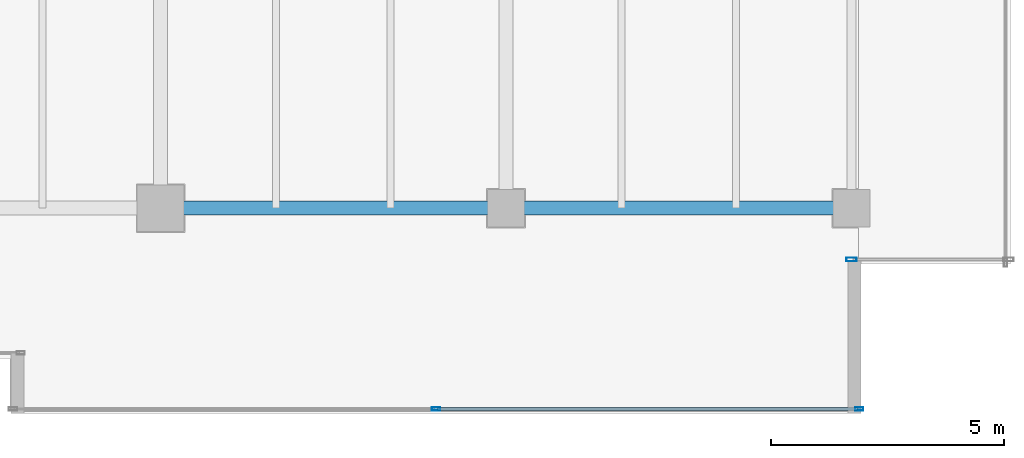
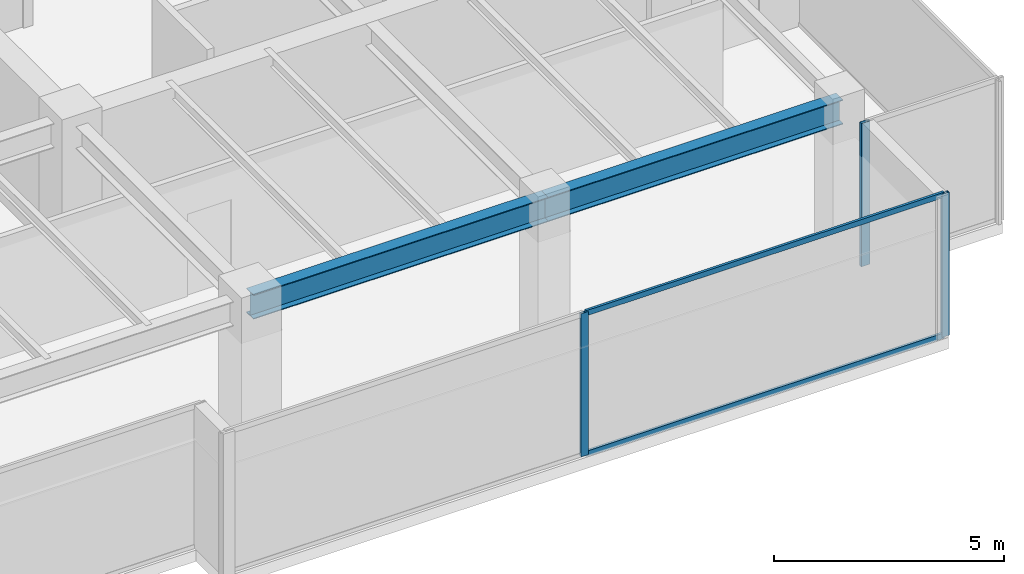
# One storey, part 13 of 35: 5 members, 2 beams, 2 elements without a shape of their own.
"""IFC4 building model written with IfcOpenShell, lengths in metres."""

from ifc_helpers import new_model, si_unit, direction, frame, origin, origin_2d, place, context, subcontext, project, spatial, hollow_rectangle, i_section, extrude, source, transform, mapped, material, layer, layer_set, material_profile, profile_set, type_object, type_shapes, element, aggregate, save


model = new_model("IFC4")

# Units and contexts
model_context = context("Model", 3, precision=1e-05, world=origin(), true_north=direction((0.0, 1.0)))
body_context = subcontext(model_context, "Body", "Model", "MODEL_VIEW")
ifc_project = project(units=[si_unit("LENGTHUNIT", "METRE"), si_unit("AREAUNIT", "SQUARE_METRE"), si_unit("VOLUMEUNIT", "CUBIC_METRE"), si_unit("PLANEANGLEUNIT", "RADIAN"), si_unit("MASSUNIT", "GRAM", prefix="KILO")], contexts=[model_context])

# Site, building, storey
site_placement = place(None, origin())
site = spatial("IfcSite", under=ifc_project, at=site_placement, CompositionType="ELEMENT")
building_placement = place(site_placement, origin())
building = spatial("IfcBuilding", under=site, at=building_placement, Name="Haelvirn Gate Laboratories", CompositionType="ELEMENT")
storey_placement = place(building_placement, frame((0.0, 0.0, 234.199951171875)))
storey = spatial("IfcBuildingStorey", under=building, at=storey_placement, Name="L56", CompositionType="ELEMENT", Elevation=234.199951171875)

# Beams
ifc_material_1 = material(Name="Steel SM355", Category="steel")
ifc_material_profile_1 = material_profile(ifc_material_1, i_section(OverallWidth=0.300048828125, OverallDepth=0.64990234375, WebThickness=0.012939453125, FlangeThickness=0.02197265625, at=origin_2d()), Name="H-650x300x13x22")
ifc_profile_set_1 = profile_set([ifc_material_profile_1], Name="Steel SM355")
beam_type = type_object("IfcBeamType", Name="BM-G-650", PredefinedType="BEAM", material=ifc_profile_set_1)
shared_shape_1 = source(origin(), body_context, "Body", "SweptSolid", [
    extrude(i_section(OverallWidth=0.300048828125, OverallDepth=0.64990234375, WebThickness=0.012939453125, FlangeThickness=0.02197265625, at=origin_2d()), origin(), (0.0, 0.0, 1.0), 7.39990234375),
])
type_shapes(beam_type, [shared_shape_1])
for number, where, z_axis, x_axis, name in (
    (1, (52.60009765625, 7.0, 3.47509765625), (1.0, 0.0, 0.0), (0.0, 1.0, 0.0), "L56 Primary Girder Y7.0 (52.6-60.0)"),
    (2, (60.0, 7.0, 3.47509765625), (1.0, 0.0, 0.0), (0.0, 1.0, 0.0), "L56 Primary Girder Y7.0 (60.0-67.4)"),
):
    element("IfcBeam", number, at=place(storey_placement, frame(where, z_axis=z_axis, x_axis=x_axis)), inside=storey, type_object=beam_type, Name=name, PredefinedType="BEAM", context=body_context, shape_type="MappedRepresentation", body=[
        mapped(shared_shape_1, transform((0.0, 0.0, 0.0), scale=1.0)),
    ])

# Curtain wall, members
ifc_material_2 = material(Name="Anodised bronze unitised aluminium & triple low-E glass", Category="aluminium")
ifc_layer_1 = layer(ifc_material_2, 0.176025390625, Name="CW-SYS-4")
ifc_layer_set_1 = layer_set([ifc_layer_1], Name="Anodised bronze unitised aluminium & triple low-E glass")
curtain_wall_type_1 = type_object("IfcCurtainWallType", Name="CW-SYS-4", PredefinedType="NOTDEFINED", material=ifc_layer_set_1)
curtain_wall_1_placement = place(storey_placement, origin())
curtain_wall_1 = element("IfcCurtainWall", 3, at=curtain_wall_1_placement, inside=storey, type_object=curtain_wall_type_1, Name="L56 Unitised Curtain Wall CW-L56-P0-E04-1", PredefinedType="NOTDEFINED")
ifc_material_3 = material(Name="Extruded aluminium 6063-T6 (anodised bronze)", Category="aluminium")
ifc_material_profile_2 = material_profile(ifc_material_3, hollow_rectangle(XDim=0.06494140625, YDim=0.139892578125, WallThickness=0.00390625, at=origin_2d()), Name="CWT-140x65x4")
ifc_profile_set_2 = profile_set([ifc_material_profile_2], Name="Extruded aluminium 6063-T6 (anodised bronze)")
member_type_1 = type_object("IfcMemberType", Name="CWT-T140", PredefinedType="USERDEFINED", material=ifc_profile_set_2)
shared_shape_2 = source(origin(), body_context, "Body", "SweptSolid", [
    extrude(hollow_rectangle(XDim=0.06494140625, YDim=0.139892578125, WallThickness=0.00390625, at=origin_2d()), origin(), (0.0, 0.0, 1.0), 8.9951171875),
])
type_shapes(member_type_1, [shared_shape_2])
member_1_placement = place(storey_placement, frame((58.534912109375, 2.699951171875, 0.032470703125), z_axis=(1.0, 0.0, 0.0), x_axis=(0.0, 1.0, 0.0)))
member_1 = element("IfcMember", 4, at=member_1_placement, type_object=member_type_1, Name="CW4 transom 2.1", ObjectType="TRANSOM", PredefinedType="USERDEFINED", context=body_context, shape_type="MappedRepresentation", body=[
    mapped(shared_shape_2, transform((0.0, 0.0, 0.0), scale=1.0)),
])
member_2_placement = place(storey_placement, frame((58.534912109375, 2.699951171875, 3.767578125), z_axis=(1.0, 0.0, 0.0), x_axis=(0.0, 1.0, 0.0)))
member_2 = element("IfcMember", 5, at=member_2_placement, type_object=member_type_1, Name="CW4 transom 2.2", ObjectType="TRANSOM", PredefinedType="USERDEFINED", context=body_context, shape_type="MappedRepresentation", body=[
    mapped(shared_shape_2, transform((0.0, 0.0, 0.0), scale=1.0)),
])
ifc_material_profile_3 = material_profile(ifc_material_3, hollow_rectangle(XDim=0.070068359375, YDim=0.179931640625, WallThickness=0.0048828125, at=origin_2d()), Name="CWM-180x70x5")
ifc_profile_set_3 = profile_set([ifc_material_profile_3], Name="Extruded aluminium 6063-T6 (anodised bronze)")
member_type_2 = type_object("IfcMemberType", Name="CWM-T180", PredefinedType="MULLION", material=ifc_profile_set_3)
shared_shape_3 = source(origin(), body_context, "Body", "SweptSolid", [
    extrude(hollow_rectangle(XDim=0.070068359375, YDim=0.179931640625, WallThickness=0.0048828125, at=origin_2d()), origin(), (0.0, 0.0, 1.0), 3.800048828125),
])
type_shapes(member_type_2, [shared_shape_3])
member_3_placement = place(storey_placement, frame((58.5, 2.699951171875, 0.0), z_axis=(0.0, 0.0, 1.0), x_axis=(0.0, 1.0, 0.0)))
member_3 = element("IfcMember", 6, at=member_3_placement, type_object=member_type_2, Name="CW4 mullion 2", PredefinedType="MULLION", context=body_context, shape_type="MappedRepresentation", body=[
    mapped(shared_shape_3, transform((0.0, 0.0, 0.0), scale=1.0)),
])
member_4_placement = place(storey_placement, frame((67.56494140625, 2.699951171875, 0.0), z_axis=(0.0, 0.0, 1.0), x_axis=(0.0, 1.0, 0.0)))
member_4 = element("IfcMember", 7, at=member_4_placement, type_object=member_type_2, Name="CW4 mullion 3", PredefinedType="MULLION", context=body_context, shape_type="MappedRepresentation", body=[
    mapped(shared_shape_3, transform((0.0, 0.0, 0.0), scale=1.0)),
])
aggregate(curtain_wall_1, [member_3, member_4, member_1, member_2])

# Curtain wall, member
ifc_layer_2 = layer(ifc_material_2, 0.181884765625, Name="CW-SYS-5")
ifc_layer_set_2 = layer_set([ifc_layer_2], Name="Anodised bronze unitised aluminium & triple low-E glass")
curtain_wall_type_2 = type_object("IfcCurtainWallType", Name="CW-SYS-5", PredefinedType="NOTDEFINED", material=ifc_layer_set_2)
curtain_wall_2_placement = place(storey_placement, origin())
curtain_wall_2 = element("IfcCurtainWall", 8, at=curtain_wall_2_placement, inside=storey, type_object=curtain_wall_type_2, Name="L56 Unitised Curtain Wall CW-L56-P0-E06-1", PredefinedType="NOTDEFINED")
ifc_material_profile_4 = material_profile(ifc_material_3, hollow_rectangle(XDim=0.080078125, YDim=0.219970703125, WallThickness=0.006103515625, at=origin_2d()), Name="CWM-220x80x6")
ifc_profile_set_4 = profile_set([ifc_material_profile_4], Name="Extruded aluminium 6063-T6 (anodised bronze)")
member_type_3 = type_object("IfcMemberType", Name="CWM-T220", PredefinedType="MULLION", material=ifc_profile_set_4)
shared_shape_4 = source(origin(), body_context, "Body", "SweptSolid", [
    extrude(hollow_rectangle(XDim=0.080078125, YDim=0.219970703125, WallThickness=0.006103515625, at=origin_2d()), origin(), (0.0, 0.0, 1.0), 3.800048828125),
])
type_shapes(member_type_3, [shared_shape_4])
member_5_placement = place(storey_placement, frame((67.39990234375, 5.89990234375, 0.0), z_axis=(0.0, 0.0, 1.0), x_axis=(0.0, 1.0, 0.0)))
member_5 = element("IfcMember", 9, at=member_5_placement, type_object=member_type_3, Name="CW5 mullion 1", PredefinedType="MULLION", context=body_context, shape_type="MappedRepresentation", body=[
    mapped(shared_shape_4, transform((0.0, 0.0, 0.0), scale=1.0)),
])
aggregate(curtain_wall_2, [member_5])

save(model, "model.ifc")
